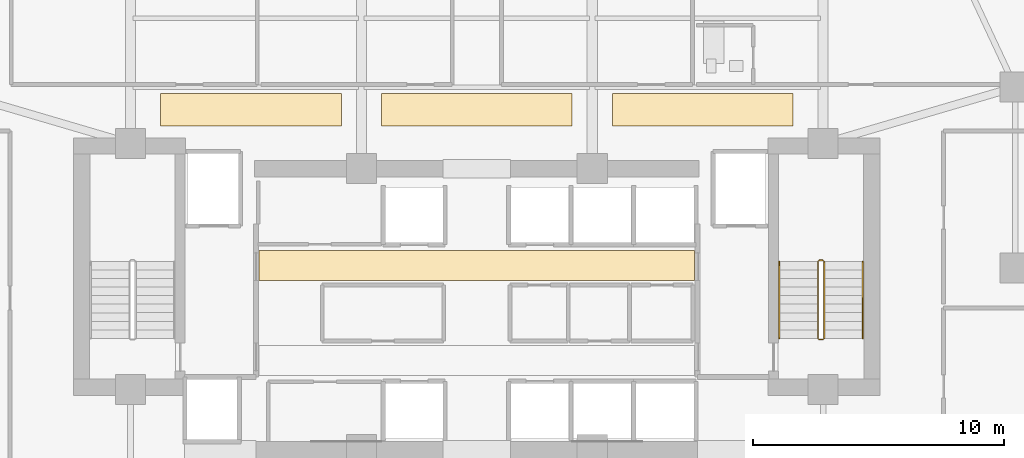
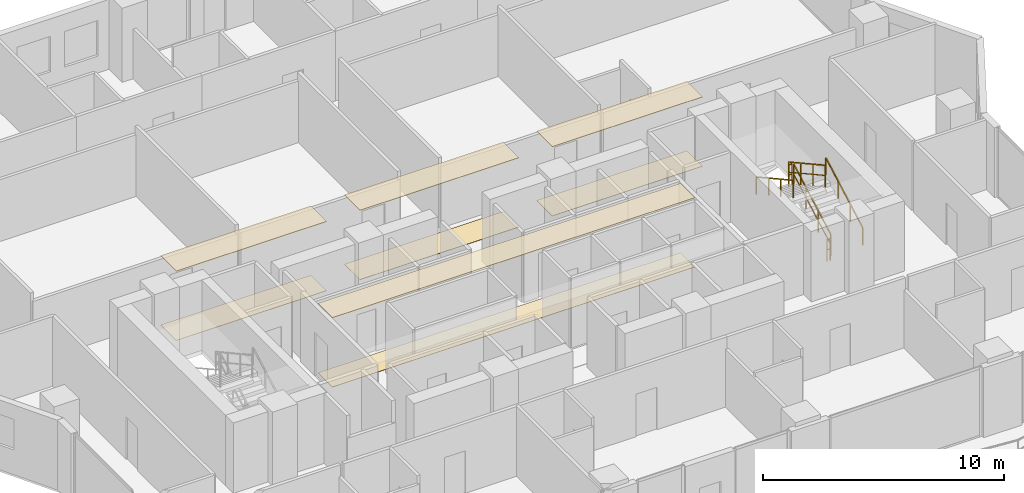
# One storey, part 30 of 32: 8 coverings, 6 railings.
"""IFC4 building model written with IfcOpenShell, lengths in metres."""

from ifc_helpers import new_model, si_unit, direction, frame, origin, origin_2d, place, context, subcontext, project, spatial, polyline, rectangle, outline, extrude, material, layer, layer_set, type_object, element, save


model = new_model("IFC4")

# Units and contexts
model_context = context("Model", 3, precision=1e-05, world=origin(), true_north=direction((0.0, 1.0)))
body_context = subcontext(model_context, "Body", "Model", "MODEL_VIEW")
ifc_project = project(units=[si_unit("LENGTHUNIT", "METRE"), si_unit("AREAUNIT", "SQUARE_METRE"), si_unit("VOLUMEUNIT", "CUBIC_METRE"), si_unit("PLANEANGLEUNIT", "RADIAN"), si_unit("MASSUNIT", "GRAM", prefix="KILO")], contexts=[model_context])

# Site, building, storey
site_placement = place(None, origin())
site = spatial("IfcSite", under=ifc_project, at=site_placement, CompositionType="ELEMENT")
building_placement = place(site_placement, origin())
building = spatial("IfcBuilding", under=site, at=building_placement, Name="Zuhayl Quay Hotel", CompositionType="ELEMENT")
storey_placement = place(building_placement, frame((0.0, 0.0, 177.39990234375)))
storey = spatial("IfcBuildingStorey", under=building, at=storey_placement, Name="L44", CompositionType="ELEMENT", Elevation=177.39990234375)

# Coverings
ifc_material_1 = material(Name="Acoustic Mineral-Fibre Gypsum Board")
ifc_layer_1 = layer(ifc_material_1, 0.02490234375, Name="Acoustic Mineral-Fibre Gypsum Board")
ifc_layer_set_1 = layer_set([ifc_layer_1], Name="Acoustic Mineral-Fibre Gypsum Board")
covering_type_1 = type_object("IfcCoveringType", Name="CV_CEIL_ACOUSTIC", PredefinedType="CEILING", material=ifc_layer_set_1)
covering_1_placement = place(storey_placement, frame((0.0, 0.0, 3.505126953125)))
element("IfcCovering", 1, at=covering_1_placement, inside=storey, type_object=covering_type_1, Name="L44 Suspended Acoustic Lobby Ceiling N", PredefinedType="CEILING", context=body_context, shape_type="SweptSolid", body=[
    extrude(outline(polyline([(-8.679931640625, 8.89990234375), (8.679931640625, 8.89990234375), (8.679931640625, 10.10009765625), (-8.679931640625, 10.10009765625), (-8.679931640625, 8.89990234375)])), origin(), (0.0, 0.0, 1.0), 0.02490234375),
])
covering_2_placement = place(storey_placement, frame((0.0, 0.0, 3.505126953125)))
element("IfcCovering", 2, at=covering_2_placement, inside=storey, type_object=covering_type_1, Name="L44 Guest Corridor Acoustic Ceiling CW", PredefinedType="CEILING", context=body_context, shape_type="SweptSolid", body=[
    extrude(outline(polyline([(-12.60009765625, 15.050048828125), (-5.39990234375, 15.050048828125), (-5.39990234375, 16.35009765625), (-12.60009765625, 16.35009765625), (-12.60009765625, 15.050048828125)])), origin(), (0.0, 0.0, 1.0), 0.02490234375),
])
covering_3_placement = place(storey_placement, frame((0.0, 0.0, 3.505126953125)))
element("IfcCovering", 3, at=covering_3_placement, inside=storey, type_object=covering_type_1, Name="L44 Guest Corridor Acoustic Ceiling CC", PredefinedType="CEILING", context=body_context, shape_type="SweptSolid", body=[
    extrude(outline(polyline([(-3.800048828125, 15.050048828125), (3.800048828125, 15.050048828125), (3.800048828125, 16.35009765625), (-3.800048828125, 16.35009765625), (-3.800048828125, 15.050048828125)])), origin(), (0.0, 0.0, 1.0), 0.02490234375),
])
covering_4_placement = place(storey_placement, frame((0.0, 0.0, 3.505126953125)))
element("IfcCovering", 4, at=covering_4_placement, inside=storey, type_object=covering_type_1, Name="L44 Guest Corridor Acoustic Ceiling CE", PredefinedType="CEILING", context=body_context, shape_type="SweptSolid", body=[
    extrude(outline(polyline([(5.39990234375, 15.050048828125), (12.60009765625, 15.050048828125), (12.60009765625, 16.35009765625), (5.39990234375, 16.35009765625), (5.39990234375, 15.050048828125)])), origin(), (0.0, 0.0, 1.0), 0.02490234375),
])
ifc_material_2 = material(Name="Polished Limestone Terrazzo", Category="masonry")
ifc_layer_2 = layer(ifc_material_2, 0.02001953125, Name="Polished Limestone Terrazzo", Category="masonry")
ifc_layer_set_2 = layer_set([ifc_layer_2], Name="Polished Limestone Terrazzo")
covering_type_2 = type_object("IfcCoveringType", Name="CV_FLOOR_TERRAZZO", PredefinedType="FLOORING", material=ifc_layer_set_2)
covering_5_placement = place(storey_placement, origin())
element("IfcCovering", 5, at=covering_5_placement, inside=storey, type_object=covering_type_2, Name="L44 Honed Limestone Terrazzo Lobby Flooring N", PredefinedType="FLOORING", context=body_context, shape_type="SweptSolid", body=[
    extrude(outline(polyline([(-8.679931640625, 8.89990234375), (8.679931640625, 8.89990234375), (8.679931640625, 10.10009765625), (-8.679931640625, 10.10009765625), (-8.679931640625, 8.89990234375)])), origin(), (0.0, 0.0, 1.0), 0.02001953125),
])
covering_6_placement = place(storey_placement, origin())
element("IfcCovering", 6, at=covering_6_placement, inside=storey, type_object=covering_type_2, Name="L44 Guest Corridor Terrazzo Runner CW", PredefinedType="FLOORING", context=body_context, shape_type="SweptSolid", body=[
    extrude(outline(polyline([(-12.60009765625, 15.050048828125), (-5.39990234375, 15.050048828125), (-5.39990234375, 16.35009765625), (-12.60009765625, 16.35009765625), (-12.60009765625, 15.050048828125)])), origin(), (0.0, 0.0, 1.0), 0.02001953125),
])
covering_7_placement = place(storey_placement, origin())
element("IfcCovering", 7, at=covering_7_placement, inside=storey, type_object=covering_type_2, Name="L44 Guest Corridor Terrazzo Runner CC", PredefinedType="FLOORING", context=body_context, shape_type="SweptSolid", body=[
    extrude(outline(polyline([(-3.800048828125, 15.050048828125), (3.800048828125, 15.050048828125), (3.800048828125, 16.35009765625), (-3.800048828125, 16.35009765625), (-3.800048828125, 15.050048828125)])), origin(), (0.0, 0.0, 1.0), 0.02001953125),
])
covering_8_placement = place(storey_placement, origin())
element("IfcCovering", 8, at=covering_8_placement, inside=storey, type_object=covering_type_2, Name="L44 Guest Corridor Terrazzo Runner CE", PredefinedType="FLOORING", context=body_context, shape_type="SweptSolid", body=[
    extrude(outline(polyline([(5.39990234375, 15.050048828125), (12.60009765625, 15.050048828125), (12.60009765625, 16.35009765625), (5.39990234375, 16.35009765625), (5.39990234375, 15.050048828125)])), origin(), (0.0, 0.0, 1.0), 0.02001953125),
])

# Railings
ifc_material_3 = material(Name="Steel ASTM A992 Grade 50", Category="steel")
railing_type_1 = type_object("IfcRailingType", Name="RL_GUARD_1100", PredefinedType="GUARDRAIL", material=ifc_material_3)
railing_1_placement = place(storey_placement, frame((13.840087890625, 6.590087890625, 0.1875)))
element("IfcRailing", 9, at=railing_1_placement, inside=storey, type_object=railing_type_1, Name="L44 ST2 stair guard 1", PredefinedType="GUARDRAIL", context=body_context, shape_type="SweptSolid", body=[
    extrude(rectangle(XDim=0.048095703125, YDim=0.048095703125, at=origin_2d()), frame((0.0, 0.0, 1.09619140625), z_axis=(0.0, 0.875659195171, 0.482929574485), x_axis=(-1.0, 0.0, 0.0)), (0.0, 0.0, 1.0), 3.494384765625),
    extrude(rectangle(XDim=0.0361328125, YDim=0.0361328125, at=origin_2d()), frame((0.0, 0.0, 0.58251953125), z_axis=(0.0, 0.875659195171, 0.482929574485), x_axis=(-1.0, 0.0, 0.0)), (0.0, 0.0, 1.0), 3.494384765625),
    extrude(rectangle(XDim=0.0419921875, YDim=0.0419921875, at=origin_2d()), origin(), (0.0, 0.0, 1.0), 1.072021484375),
    extrude(rectangle(XDim=0.0419921875, YDim=0.0419921875, at=origin_2d()), frame((0.0, 1.02001953125, 0.5625)), (0.0, 0.0, 1.0), 1.072021484375),
    extrude(rectangle(XDim=0.0419921875, YDim=0.0419921875, at=origin_2d()), frame((0.0, 2.039794921875, 1.125)), (0.0, 0.0, 1.0), 1.072021484375),
    extrude(rectangle(XDim=0.0419921875, YDim=0.0419921875, at=origin_2d()), frame((0.0, 3.059814453125, 1.6875)), (0.0, 0.0, 1.0), 1.072021484375),
])
railing_2_placement = place(storey_placement, frame((13.7900390625, 9.699951171875, 1.875)))
element("IfcRailing", 10, at=railing_2_placement, inside=storey, type_object=railing_type_1, Name="L44 ST2 stair guard 2", PredefinedType="GUARDRAIL", context=body_context, shape_type="SweptSolid", body=[
    extrude(rectangle(XDim=0.048095703125, YDim=0.048095703125, at=origin_2d()), frame((0.0, 0.0, 1.09619140625), z_axis=(-1.0, 0.0, 0.0), x_axis=(0.0, -1.0, 0.0)), (0.0, 0.0, 1.0), 0.150146484375),
    extrude(rectangle(XDim=0.0361328125, YDim=0.0361328125, at=origin_2d()), frame((0.0, 0.0, 0.58251953125), z_axis=(-1.0, 0.0, 0.0), x_axis=(0.0, -1.0, 0.0)), (0.0, 0.0, 1.0), 0.150146484375),
    extrude(rectangle(XDim=0.0419921875, YDim=0.0419921875, at=origin_2d()), origin(), (0.0, 0.0, 1.0), 1.072021484375),
    extrude(rectangle(XDim=0.0419921875, YDim=0.0419921875, at=origin_2d()), frame((-0.150146484375, 0.0, 0.0)), (0.0, 0.0, 1.0), 1.072021484375),
])
railing_3_placement = place(storey_placement, frame((13.590087890625, 9.64990234375, 2.0625)))
element("IfcRailing", 11, at=railing_3_placement, inside=storey, type_object=railing_type_1, Name="L44 ST2 stair guard 3", PredefinedType="GUARDRAIL", context=body_context, shape_type="SweptSolid", body=[
    extrude(rectangle(XDim=0.048095703125, YDim=0.048095703125, at=origin_2d()), frame((0.0, 0.0, 1.09619140625), z_axis=(0.0, -0.875659195171, 0.482929574485), x_axis=(1.0, 0.0, 0.0)), (0.0, 0.0, 1.0), 3.494384765625),
    extrude(rectangle(XDim=0.0361328125, YDim=0.0361328125, at=origin_2d()), frame((0.0, 0.0, 0.58251953125), z_axis=(0.0, -0.875659195171, 0.482929574485), x_axis=(1.0, 0.0, 0.0)), (0.0, 0.0, 1.0), 3.494384765625),
    extrude(rectangle(XDim=0.0419921875, YDim=0.0419921875, at=origin_2d()), origin(), (0.0, 0.0, 1.0), 1.072021484375),
    extrude(rectangle(XDim=0.0419921875, YDim=0.0419921875, at=origin_2d()), frame((0.0, -1.02001953125, 0.5625)), (0.0, 0.0, 1.0), 1.072021484375),
    extrude(rectangle(XDim=0.0419921875, YDim=0.0419921875, at=origin_2d()), frame((0.0, -2.039794921875, 1.125)), (0.0, 0.0, 1.0), 1.072021484375),
    extrude(rectangle(XDim=0.0419921875, YDim=0.0419921875, at=origin_2d()), frame((0.0, -3.059814453125, 1.6875)), (0.0, 0.0, 1.0), 1.072021484375),
])
railing_4_placement = place(storey_placement, frame((13.7900390625, 6.5400390625, 0.0)))
element("IfcRailing", 12, at=railing_4_placement, inside=storey, type_object=railing_type_1, Name="L44 ST2 stair guard 4", PredefinedType="GUARDRAIL", context=body_context, shape_type="SweptSolid", body=[
    extrude(rectangle(XDim=0.048095703125, YDim=0.048095703125, at=origin_2d()), frame((0.0, 0.0, 1.09619140625), z_axis=(-1.0, 0.0, 0.0), x_axis=(0.0, -1.0, 0.0)), (0.0, 0.0, 1.0), 0.150146484375),
    extrude(rectangle(XDim=0.0361328125, YDim=0.0361328125, at=origin_2d()), frame((0.0, 0.0, 0.58251953125), z_axis=(-1.0, 0.0, 0.0), x_axis=(0.0, -1.0, 0.0)), (0.0, 0.0, 1.0), 0.150146484375),
    extrude(rectangle(XDim=0.0419921875, YDim=0.0419921875, at=origin_2d()), origin(), (0.0, 0.0, 1.0), 1.072021484375),
    extrude(rectangle(XDim=0.0419921875, YDim=0.0419921875, at=origin_2d()), frame((-0.150146484375, 0.0, 0.0)), (0.0, 0.0, 1.0), 1.072021484375),
])
railing_type_2 = type_object("IfcRailingType", Name="RL_HANDRAIL_920", PredefinedType="HANDRAIL", material=ifc_material_3)
railing_5_placement = place(storey_placement, frame((15.3798828125, 6.590087890625, 0.1875)))
element("IfcRailing", 13, at=railing_5_placement, inside=storey, type_object=railing_type_2, Name="L44 ST2 stair handrail 1", PredefinedType="HANDRAIL", context=body_context, shape_type="SweptSolid", body=[
    extrude(rectangle(XDim=0.048095703125, YDim=0.048095703125, at=origin_2d()), frame((0.0, 0.0, 0.8759765625), z_axis=(0.0, 0.875659195171, 0.482929574485), x_axis=(-1.0, 0.0, 0.0)), (0.0, 0.0, 1.0), 3.494384765625),
    extrude(rectangle(XDim=0.0419921875, YDim=0.0419921875, at=origin_2d()), origin(), (0.0, 0.0, 1.0), 0.851806640625),
    extrude(rectangle(XDim=0.0419921875, YDim=0.0419921875, at=origin_2d()), frame((0.0, 1.02001953125, 0.5625)), (0.0, 0.0, 1.0), 0.851806640625),
    extrude(rectangle(XDim=0.0419921875, YDim=0.0419921875, at=origin_2d()), frame((0.0, 2.039794921875, 1.125)), (0.0, 0.0, 1.0), 0.851806640625),
    extrude(rectangle(XDim=0.0419921875, YDim=0.0419921875, at=origin_2d()), frame((0.0, 3.059814453125, 1.6875)), (0.0, 0.0, 1.0), 0.851806640625),
])
railing_6_placement = place(storey_placement, frame((12.050048828125, 9.64990234375, 2.0625)))
element("IfcRailing", 14, at=railing_6_placement, inside=storey, type_object=railing_type_2, Name="L44 ST2 stair handrail 2", PredefinedType="HANDRAIL", context=body_context, shape_type="SweptSolid", body=[
    extrude(rectangle(XDim=0.048095703125, YDim=0.048095703125, at=origin_2d()), frame((0.0, 0.0, 0.8759765625), z_axis=(0.0, -0.875659195171, 0.482929574485), x_axis=(1.0, 0.0, 0.0)), (0.0, 0.0, 1.0), 3.494384765625),
    extrude(rectangle(XDim=0.0419921875, YDim=0.0419921875, at=origin_2d()), origin(), (0.0, 0.0, 1.0), 0.851806640625),
    extrude(rectangle(XDim=0.0419921875, YDim=0.0419921875, at=origin_2d()), frame((0.0, -1.02001953125, 0.5625)), (0.0, 0.0, 1.0), 0.851806640625),
    extrude(rectangle(XDim=0.0419921875, YDim=0.0419921875, at=origin_2d()), frame((0.0, -2.039794921875, 1.125)), (0.0, 0.0, 1.0), 0.851806640625),
    extrude(rectangle(XDim=0.0419921875, YDim=0.0419921875, at=origin_2d()), frame((0.0, -3.059814453125, 1.6875)), (0.0, 0.0, 1.0), 0.851806640625),
])

save(model, "model.ifc")
